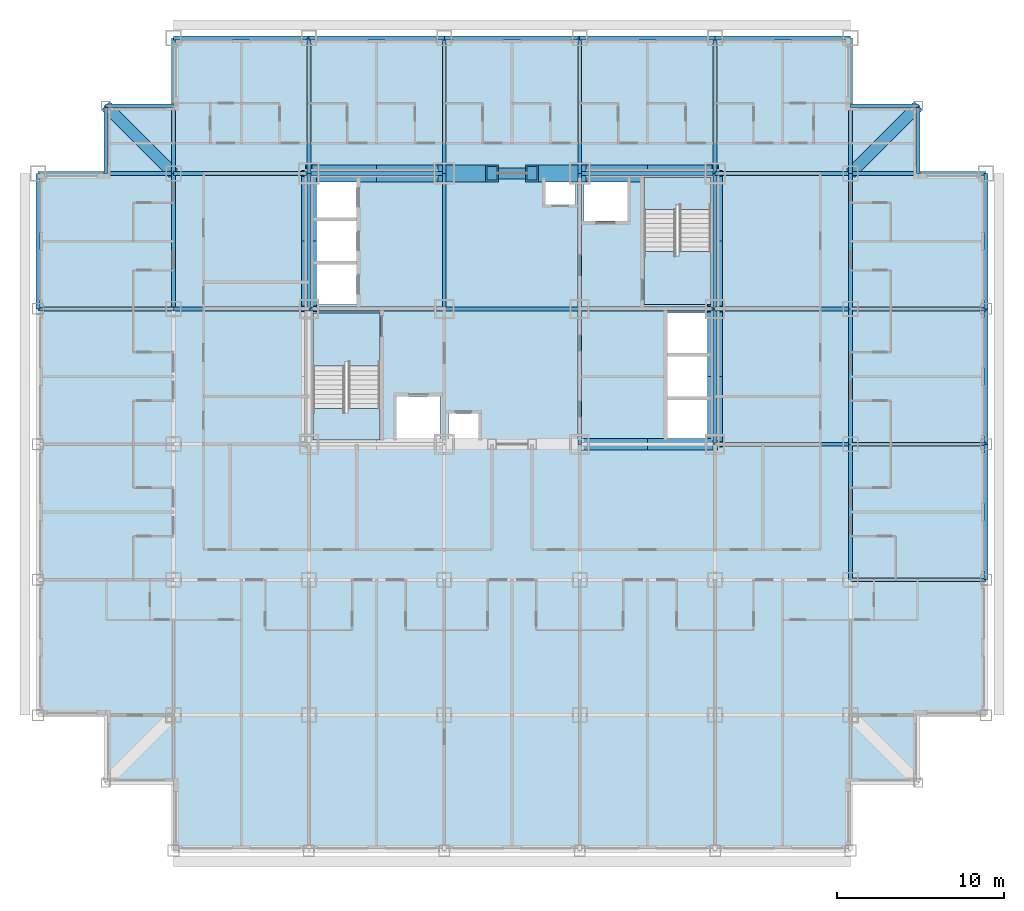
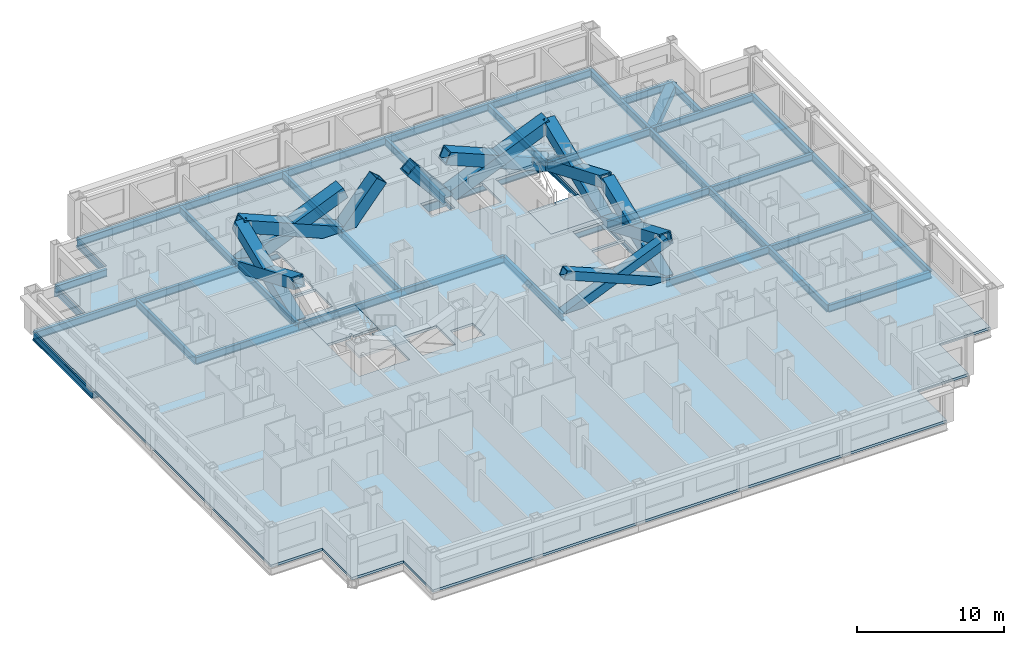
# One storey, part 2 of 12: 48 beams, 14 members, 5 slabs, 2 elements without a shape of their own.
"""IFC4 building model written with IfcOpenShell, lengths in metres."""

from ifc_helpers import new_model, si_unit, direction, frame, origin, origin_2d, place, context, subcontext, project, spatial, polyline, hollow_rectangle, i_section, outline, extrude, material, layer, layer_set, material_profile, profile_set, type_object, element, aggregate, save


model = new_model("IFC4")

# Units and contexts
model_context = context("Model", 3, precision=1e-05, world=origin(), true_north=direction((0.0, 1.0)))
body_context = subcontext(model_context, "Body", "Model", "MODEL_VIEW")
ifc_project = project(units=[si_unit("LENGTHUNIT", "METRE"), si_unit("AREAUNIT", "SQUARE_METRE"), si_unit("VOLUMEUNIT", "CUBIC_METRE"), si_unit("PLANEANGLEUNIT", "RADIAN"), si_unit("MASSUNIT", "GRAM", prefix="KILO")], contexts=[model_context])

# Site, building, storey
site_placement = place(None, origin())
site = spatial("IfcSite", under=ifc_project, at=site_placement, CompositionType="ELEMENT")
building_placement = place(site_placement, origin())
building = spatial("IfcBuilding", under=site, at=building_placement, Name="Kopane Lantern Tower", CompositionType="ELEMENT")
storey_placement = place(building_placement, frame((0.0, 0.0, 46.60009765625)))
storey = spatial("IfcBuildingStorey", under=building, at=storey_placement, Name="L10", CompositionType="ELEMENT", Elevation=46.60009765625)

# Members
ifc_material_1 = material(Name="Steel S355JR", Category="steel")
ifc_material_profile_1 = material_profile(ifc_material_1, hollow_rectangle(XDim=1.0, YDim=1.0, WallThickness=0.10009765625, at=origin_2d()), Name="BOX 1000x1000x100")
ifc_profile_set_1 = profile_set([ifc_material_profile_1], Name="Steel S355JR")
member_type_1 = type_object("IfcMemberType", Name="BRACE BOX 1000x1000x100", PredefinedType="BRACE", material=ifc_profile_set_1)
for number, where, z_axis, x_axis, name in (
    (1, (16.199951171875, 40.5, -0.210205078125), (0.92205908274, 0.0, 0.387049154419), (0.0, 1.0, 0.0), "Core brace L10"),
    (2, (24.300048828125, 40.5, -0.210205078125), (-0.92205908274, 0.0, 0.387049154419), (0.0, -1.0, 0.0), "Core brace L10"),
):
    element("IfcMember", number, at=place(storey_placement, frame(where, z_axis=z_axis, x_axis=x_axis)), inside=storey, type_object=member_type_1, Name=name, PredefinedType="BRACE", context=body_context, shape_type="SweptSolid", body=[
        extrude(hollow_rectangle(XDim=1.0, YDim=1.0, WallThickness=0.10009765625, at=origin_2d()), origin(), (0.0, 0.0, 1.0), 8.784912109375),
    ])
for number, where, z_axis, x_axis, name in (
    (3, (24.300048828125, 40.5, -0.210205078125), (0.642363165114, 0.0, 0.766400394118), (0.0, 1.0, 0.0), "Core brace L10"),
    (4, (32.39990234375, 40.5, -0.210205078125), (-0.642363165114, 0.0, 0.766400394118), (0.0, -1.0, 0.0), "Core brace L10"),
):
    element("IfcMember", number, at=place(storey_placement, frame(where, z_axis=z_axis, x_axis=x_axis)), inside=storey, type_object=member_type_1, Name=name, PredefinedType="BRACE", context=body_context, shape_type="SweptSolid", body=[
        extrude(hollow_rectangle(XDim=1.0, YDim=1.0, WallThickness=0.10009765625, at=origin_2d()), origin(), (0.0, 0.0, 1.0), 4.4365234375),
    ])
for number, where, z_axis, x_axis, name in (
    (5, (32.39990234375, 40.5, -0.210205078125), (0.92205908274, 0.0, 0.387049154419), (0.0, 1.0, 0.0), "Core brace L10"),
    (6, (40.5, 40.5, -0.210205078125), (-0.92205908274, 0.0, 0.387049154419), (0.0, -1.0, 0.0), "Core brace L10"),
):
    element("IfcMember", number, at=place(storey_placement, frame(where, z_axis=z_axis, x_axis=x_axis)), inside=storey, type_object=member_type_1, Name=name, PredefinedType="BRACE", context=body_context, shape_type="SweptSolid", body=[
        extrude(hollow_rectangle(XDim=1.0, YDim=1.0, WallThickness=0.10009765625, at=origin_2d()), origin(), (0.0, 0.0, 1.0), 8.784912109375),
    ])
ifc_material_2 = material(Name="Steel S355JR", Category="steel")
ifc_material_profile_2 = material_profile(ifc_material_2, hollow_rectangle(XDim=0.699951171875, YDim=0.699951171875, WallThickness=0.06005859375, at=origin_2d()), Name="BOX 700x700x60")
ifc_profile_set_2 = profile_set([ifc_material_profile_2], Name="Steel S355JR")
member_type_2 = type_object("IfcMemberType", Name="BRACE BOX 700x700x60", PredefinedType="BRACE", material=ifc_profile_set_2)
for number, where, z_axis, x_axis, name in (
    (7, (32.39990234375, 24.300048828125, -0.210205078125), (0.92205908274, 0.0, 0.387049154419), (0.0, 1.0, 0.0), "Core brace L10"),
    (8, (40.5, 24.300048828125, -0.210205078125), (-0.92205908274, 0.0, 0.387049154419), (0.0, -1.0, 0.0), "Core brace L10"),
):
    element("IfcMember", number, at=place(storey_placement, frame(where, z_axis=z_axis, x_axis=x_axis)), inside=storey, type_object=member_type_2, Name=name, PredefinedType="BRACE", context=body_context, shape_type="SweptSolid", body=[
        extrude(hollow_rectangle(XDim=0.699951171875, YDim=0.699951171875, WallThickness=0.06005859375, at=origin_2d()), origin(), (0.0, 0.0, 1.0), 8.784912109375),
    ])
ifc_material_3 = material(Name="Steel S355JR", Category="steel")
ifc_material_profile_3 = material_profile(ifc_material_3, hollow_rectangle(XDim=0.89990234375, YDim=0.89990234375, WallThickness=0.090087890625, at=origin_2d()), Name="BOX 900x900x90")
ifc_profile_set_3 = profile_set([ifc_material_profile_3], Name="Steel S355JR")
member_type_3 = type_object("IfcMemberType", Name="BRACE BOX 900x900x90", PredefinedType="BRACE", material=ifc_profile_set_3)
for number, where, z_axis, x_axis, name in (
    (9, (16.199951171875, 32.39990234375, -0.210205078125), (0.0, 0.92205908274, 0.387049154419), (-1.0, 0.0, 0.0), "Core brace L10"),
    (10, (16.199951171875, 40.5, -0.210205078125), (0.0, -0.92205908274, 0.387049154419), (1.0, 0.0, 0.0), "Core brace L10"),
):
    element("IfcMember", number, at=place(storey_placement, frame(where, z_axis=z_axis, x_axis=x_axis)), inside=storey, type_object=member_type_3, Name=name, PredefinedType="BRACE", context=body_context, shape_type="SweptSolid", body=[
        extrude(hollow_rectangle(XDim=0.89990234375, YDim=0.89990234375, WallThickness=0.090087890625, at=origin_2d()), origin(), (0.0, 0.0, 1.0), 8.784912109375),
    ])
for number, where, z_axis, x_axis, name in (
    (11, (40.5, 24.300048828125, -0.210205078125), (0.0, 0.92205491925, 0.387059072864), (-1.0, 0.0, 0.0), "Core brace L10"),
    (12, (40.5, 32.39990234375, -0.210205078125), (0.0, -0.92205491925, 0.387059072864), (1.0, 0.0, 0.0), "Core brace L10"),
):
    element("IfcMember", number, at=place(storey_placement, frame(where, z_axis=z_axis, x_axis=x_axis)), inside=storey, type_object=member_type_3, Name=name, PredefinedType="BRACE", context=body_context, shape_type="SweptSolid", body=[
        extrude(hollow_rectangle(XDim=0.89990234375, YDim=0.89990234375, WallThickness=0.090087890625, at=origin_2d()), origin(), (0.0, 0.0, 1.0), 8.78466796875),
    ])
for number, where, z_axis, x_axis, name in (
    (13, (40.5, 32.39990234375, -0.210205078125), (0.0, 0.92205908274, 0.387049154419), (-1.0, 0.0, 0.0), "Core brace L10"),
    (14, (40.5, 40.5, -0.210205078125), (0.0, -0.92205908274, 0.387049154419), (1.0, 0.0, 0.0), "Core brace L10"),
):
    element("IfcMember", number, at=place(storey_placement, frame(where, z_axis=z_axis, x_axis=x_axis)), inside=storey, type_object=member_type_3, Name=name, PredefinedType="BRACE", context=body_context, shape_type="SweptSolid", body=[
        extrude(hollow_rectangle(XDim=0.89990234375, YDim=0.89990234375, WallThickness=0.090087890625, at=origin_2d()), origin(), (0.0, 0.0, 1.0), 8.784912109375),
    ])

# Beams
ifc_material_4 = material(Name="Steel S355JR", Category="steel")
ifc_material_profile_4 = material_profile(ifc_material_4, i_section(OverallWidth=0.22900390625, OverallDepth=0.6123046875, WebThickness=0.011962890625, FlangeThickness=0.01953125, FilletRadius=0.0126953125, at=origin_2d()), Name="UB 610x229x125")
ifc_profile_set_4 = profile_set([ifc_material_profile_4], Name="Steel S355JR")
beam_type_1 = type_object("IfcBeamType", Name="CORE BEAM UB 610x229x125", PredefinedType="BEAM", material=ifc_profile_set_4)
for number, where, z_axis, x_axis, name in (
    (15, (16.199951171875, 32.39990234375, -0.51611328125), (1.0, 0.0, 0.0), (0.0, 1.0, 0.0), "Core Beam L10"),
    (16, (24.300048828125, 32.39990234375, -0.51611328125), (0.0, 1.0, 0.0), (-1.0, 0.0, 0.0), "Core Beam L10"),
):
    element("IfcBeam", number, at=place(storey_placement, frame(where, z_axis=z_axis, x_axis=x_axis)), inside=storey, type_object=beam_type_1, Name=name, PredefinedType="BEAM", context=body_context, shape_type="SweptSolid", body=[
        extrude(i_section(OverallWidth=0.22900390625, OverallDepth=0.6123046875, WebThickness=0.011962890625, FlangeThickness=0.01953125, FilletRadius=0.0126953125, at=origin_2d()), origin(), (0.0, 0.0, 1.0), 8.10009765625),
    ])
for number, where, z_axis, x_axis, name in (
    (17, (24.300048828125, 32.39990234375, -0.51611328125), (1.0, 0.0, 0.0), (0.0, 1.0, 0.0), "Core Beam L10"),
    (18, (32.39990234375, 24.300048828125, -0.51611328125), (0.0, 1.0, 0.0), (-1.0, 0.0, 0.0), "Core Beam L10"),
):
    element("IfcBeam", number, at=place(storey_placement, frame(where, z_axis=z_axis, x_axis=x_axis)), inside=storey, type_object=beam_type_1, Name=name, PredefinedType="BEAM", context=body_context, shape_type="SweptSolid", body=[
        extrude(i_section(OverallWidth=0.22900390625, OverallDepth=0.6123046875, WebThickness=0.011962890625, FlangeThickness=0.01953125, FilletRadius=0.0126953125, at=origin_2d()), origin(), (0.0, 0.0, 1.0), 8.099853515625),
    ])
for number, where, z_axis, x_axis, name in (
    (19, (32.39990234375, 32.39990234375, -0.51611328125), (0.0, 1.0, 0.0), (-1.0, 0.0, 0.0), "Core Beam L10"),
    (20, (32.39990234375, 32.39990234375, -0.51611328125), (1.0, 0.0, 0.0), (0.0, 1.0, 0.0), "Core Beam L10"),
):
    element("IfcBeam", number, at=place(storey_placement, frame(where, z_axis=z_axis, x_axis=x_axis)), inside=storey, type_object=beam_type_1, Name=name, PredefinedType="BEAM", context=body_context, shape_type="SweptSolid", body=[
        extrude(i_section(OverallWidth=0.22900390625, OverallDepth=0.6123046875, WebThickness=0.011962890625, FlangeThickness=0.01953125, FilletRadius=0.0126953125, at=origin_2d()), origin(), (0.0, 0.0, 1.0), 8.10009765625),
    ])
ifc_material_5 = material(Name="Steel S355JR", Category="steel")
ifc_material_profile_5 = material_profile(ifc_material_5, hollow_rectangle(XDim=0.699951171875, YDim=0.699951171875, WallThickness=0.06005859375, at=origin_2d()), Name="BOX 700x700x60")
ifc_profile_set_5 = profile_set([ifc_material_profile_5], Name="Steel S355JR")
beam_type_2 = type_object("IfcBeamType", Name="CORNER TIE BEAM BOX 700x700x60", PredefinedType="BEAM", material=ifc_profile_set_5)
for number, where, z_axis, x_axis, name in (
    (21, (4.050048828125, 44.550048828125, -0.56005859375), (0.707106781187, -0.707106781187, 0.0), (0.707106781187, 0.707106781187, 0.0), "Corner Tie Beam L10"),
    (22, (52.64990234375, 44.550048828125, -0.56005859375), (-0.707085467703, -0.707128094028, 0.0), (0.707128094028, -0.707085467703, 0.0), "Corner Tie Beam L10"),
):
    element("IfcBeam", number, at=place(storey_placement, frame(where, z_axis=z_axis, x_axis=x_axis)), inside=storey, type_object=beam_type_2, Name=name, PredefinedType="BEAM", context=body_context, shape_type="SweptSolid", body=[
        extrude(hollow_rectangle(XDim=0.699951171875, YDim=0.699951171875, WallThickness=0.06005859375, at=origin_2d()), origin(), (0.0, 0.0, 1.0), 5.7275390625),
    ])
ifc_material_6 = material(Name="Steel S355JR", Category="steel")
ifc_material_profile_6 = material_profile(ifc_material_6, i_section(OverallWidth=0.22900390625, OverallDepth=0.6123046875, WebThickness=0.011962890625, FlangeThickness=0.01953125, FilletRadius=0.0126953125, at=origin_2d()), Name="UB 610x229x125")
ifc_profile_set_6 = profile_set([ifc_material_profile_6], Name="Steel S355JR")
beam_type_3 = type_object("IfcBeamType", Name="EDGE BEAM UB 610x229x125", PredefinedType="BEAM", material=ifc_profile_set_6)
for number, where, z_axis, x_axis, name in (
    (23, (4.050048828125, 44.550048828125, -0.51611328125), (0.0, -1.0, 0.0), (1.0, 0.0, 0.0), "Edge Beam L10"),
    (24, (4.050048828125, 44.550048828125, -0.51611328125), (1.0, 0.0, 0.0), (0.0, 1.0, 0.0), "Edge Beam L10"),
):
    element("IfcBeam", number, at=place(storey_placement, frame(where, z_axis=z_axis, x_axis=x_axis)), inside=storey, type_object=beam_type_3, Name=name, PredefinedType="BEAM", context=body_context, shape_type="SweptSolid", body=[
        extrude(i_section(OverallWidth=0.22900390625, OverallDepth=0.6123046875, WebThickness=0.011962890625, FlangeThickness=0.01953125, FilletRadius=0.0126953125, at=origin_2d()), origin(), (0.0, 0.0, 1.0), 4.050048828125),
    ])
beam_1_placement = place(storey_placement, frame((52.64990234375, 44.550048828125, -0.51611328125), z_axis=(-1.0, 0.0, 0.0), x_axis=(0.0, -1.0, 0.0)))
element("IfcBeam", 25, at=beam_1_placement, inside=storey, type_object=beam_type_3, Name="Edge Beam L10", PredefinedType="BEAM", context=body_context, shape_type="SweptSolid", body=[
    extrude(i_section(OverallWidth=0.22900390625, OverallDepth=0.6123046875, WebThickness=0.011962890625, FlangeThickness=0.01953125, FilletRadius=0.0126953125, at=origin_2d()), origin(), (0.0, 0.0, 1.0), 4.0498046875),
])
beam_2_placement = place(storey_placement, frame((52.64990234375, 44.550048828125, -0.51611328125), z_axis=(0.0, -1.0, 0.0), x_axis=(1.0, 0.0, 0.0)))
element("IfcBeam", 26, at=beam_2_placement, inside=storey, type_object=beam_type_3, Name="Edge Beam L10", PredefinedType="BEAM", context=body_context, shape_type="SweptSolid", body=[
    extrude(i_section(OverallWidth=0.22900390625, OverallDepth=0.6123046875, WebThickness=0.011962890625, FlangeThickness=0.01953125, FilletRadius=0.0126953125, at=origin_2d()), origin(), (0.0, 0.0, 1.0), 4.050048828125),
])
ifc_material_7 = material(Name="Steel S355JR", Category="steel")
ifc_material_profile_7 = material_profile(ifc_material_7, i_section(OverallWidth=0.22900390625, OverallDepth=0.6123046875, WebThickness=0.011962890625, FlangeThickness=0.01953125, FilletRadius=0.0126953125, at=origin_2d()), Name="UB 610x229x125")
ifc_profile_set_7 = profile_set([ifc_material_profile_7], Name="Steel S355JR")
beam_type_4 = type_object("IfcBeamType", Name="GIRDER UB 610x229x125", PredefinedType="BEAM", material=ifc_profile_set_7)
for number, where, z_axis, x_axis, name in (
    (27, (0.0, 32.39990234375, -0.51611328125), (0.0, 1.0, 0.0), (-1.0, 0.0, 0.0), "Girder L10"),
    (28, (0.0, 32.39990234375, -0.51611328125), (1.0, 0.0, 0.0), (0.0, 1.0, 0.0), "Girder L10"),
    (29, (0.0, 40.5, -0.51611328125), (1.0, 0.0, 0.0), (0.0, 1.0, 0.0), "Girder L10"),
    (30, (8.10009765625, 32.39990234375, -0.51611328125), (0.0, 1.0, 0.0), (-1.0, 0.0, 0.0), "Girder L10"),
):
    element("IfcBeam", number, at=place(storey_placement, frame(where, z_axis=z_axis, x_axis=x_axis)), inside=storey, type_object=beam_type_4, Name=name, PredefinedType="BEAM", context=body_context, shape_type="SweptSolid", body=[
        extrude(i_section(OverallWidth=0.22900390625, OverallDepth=0.6123046875, WebThickness=0.011962890625, FlangeThickness=0.01953125, FilletRadius=0.0126953125, at=origin_2d()), origin(), (0.0, 0.0, 1.0), 8.10009765625),
    ])
beam_3_placement = place(storey_placement, frame((8.10009765625, 32.39990234375, -0.51611328125), z_axis=(1.0, 0.0, 0.0), x_axis=(0.0, 1.0, 0.0)))
element("IfcBeam", 31, at=beam_3_placement, inside=storey, type_object=beam_type_4, Name="Girder L10", PredefinedType="BEAM", context=body_context, shape_type="SweptSolid", body=[
    extrude(i_section(OverallWidth=0.22900390625, OverallDepth=0.6123046875, WebThickness=0.011962890625, FlangeThickness=0.01953125, FilletRadius=0.0126953125, at=origin_2d()), origin(), (0.0, 0.0, 1.0), 8.099853515625),
])
beam_4_placement = place(storey_placement, frame((8.10009765625, 40.5, -0.51611328125), z_axis=(0.0, 1.0, 0.0), x_axis=(-1.0, 0.0, 0.0)))
element("IfcBeam", 32, at=beam_4_placement, inside=storey, type_object=beam_type_4, Name="Girder L10", PredefinedType="BEAM", context=body_context, shape_type="SweptSolid", body=[
    extrude(i_section(OverallWidth=0.22900390625, OverallDepth=0.6123046875, WebThickness=0.011962890625, FlangeThickness=0.01953125, FilletRadius=0.0126953125, at=origin_2d()), origin(), (0.0, 0.0, 1.0), 8.10009765625),
])
for number, where, z_axis, x_axis, name in (
    (33, (8.10009765625, 40.5, -0.51611328125), (1.0, 0.0, 0.0), (0.0, 1.0, 0.0), "Girder L10"),
    (34, (8.10009765625, 48.60009765625, -0.51611328125), (1.0, 0.0, 0.0), (0.0, 1.0, 0.0), "Girder L10"),
):
    element("IfcBeam", number, at=place(storey_placement, frame(where, z_axis=z_axis, x_axis=x_axis)), inside=storey, type_object=beam_type_4, Name=name, PredefinedType="BEAM", context=body_context, shape_type="SweptSolid", body=[
        extrude(i_section(OverallWidth=0.22900390625, OverallDepth=0.6123046875, WebThickness=0.011962890625, FlangeThickness=0.01953125, FilletRadius=0.0126953125, at=origin_2d()), origin(), (0.0, 0.0, 1.0), 8.099853515625),
    ])
for number, where, z_axis, x_axis, name in (
    (35, (16.199951171875, 32.39990234375, -0.51611328125), (0.0, 1.0, 0.0), (-1.0, 0.0, 0.0), "Girder L10"),
    (36, (16.199951171875, 40.5, -0.51611328125), (0.0, 1.0, 0.0), (-1.0, 0.0, 0.0), "Girder L10"),
    (37, (16.199951171875, 40.5, -0.51611328125), (1.0, 0.0, 0.0), (0.0, 1.0, 0.0), "Girder L10"),
    (38, (16.199951171875, 48.60009765625, -0.51611328125), (1.0, 0.0, 0.0), (0.0, 1.0, 0.0), "Girder L10"),
    (39, (24.300048828125, 40.5, -0.51611328125), (0.0, 1.0, 0.0), (-1.0, 0.0, 0.0), "Girder L10"),
):
    element("IfcBeam", number, at=place(storey_placement, frame(where, z_axis=z_axis, x_axis=x_axis)), inside=storey, type_object=beam_type_4, Name=name, PredefinedType="BEAM", context=body_context, shape_type="SweptSolid", body=[
        extrude(i_section(OverallWidth=0.22900390625, OverallDepth=0.6123046875, WebThickness=0.011962890625, FlangeThickness=0.01953125, FilletRadius=0.0126953125, at=origin_2d()), origin(), (0.0, 0.0, 1.0), 8.10009765625),
    ])
beam_5_placement = place(storey_placement, frame((24.300048828125, 48.60009765625, -0.51611328125), z_axis=(1.0, 0.0, 0.0), x_axis=(0.0, 1.0, 0.0)))
element("IfcBeam", 40, at=beam_5_placement, inside=storey, type_object=beam_type_4, Name="Girder L10", PredefinedType="BEAM", context=body_context, shape_type="SweptSolid", body=[
    extrude(i_section(OverallWidth=0.22900390625, OverallDepth=0.6123046875, WebThickness=0.011962890625, FlangeThickness=0.01953125, FilletRadius=0.0126953125, at=origin_2d()), origin(), (0.0, 0.0, 1.0), 8.099853515625),
])
for number, where, z_axis, x_axis, name in (
    (41, (32.39990234375, 40.5, -0.51611328125), (0.0, 1.0, 0.0), (-1.0, 0.0, 0.0), "Girder L10"),
    (42, (32.39990234375, 40.5, -0.51611328125), (1.0, 0.0, 0.0), (0.0, 1.0, 0.0), "Girder L10"),
    (43, (32.39990234375, 48.60009765625, -0.51611328125), (1.0, 0.0, 0.0), (0.0, 1.0, 0.0), "Girder L10"),
):
    element("IfcBeam", number, at=place(storey_placement, frame(where, z_axis=z_axis, x_axis=x_axis)), inside=storey, type_object=beam_type_4, Name=name, PredefinedType="BEAM", context=body_context, shape_type="SweptSolid", body=[
        extrude(i_section(OverallWidth=0.22900390625, OverallDepth=0.6123046875, WebThickness=0.011962890625, FlangeThickness=0.01953125, FilletRadius=0.0126953125, at=origin_2d()), origin(), (0.0, 0.0, 1.0), 8.10009765625),
    ])
beam_6_placement = place(storey_placement, frame((40.5, 24.300048828125, -0.51611328125), z_axis=(0.0, 1.0, 0.0), x_axis=(-1.0, 0.0, 0.0)))
element("IfcBeam", 44, at=beam_6_placement, inside=storey, type_object=beam_type_4, Name="Girder L10", PredefinedType="BEAM", context=body_context, shape_type="SweptSolid", body=[
    extrude(i_section(OverallWidth=0.22900390625, OverallDepth=0.6123046875, WebThickness=0.011962890625, FlangeThickness=0.01953125, FilletRadius=0.0126953125, at=origin_2d()), origin(), (0.0, 0.0, 1.0), 8.099853515625),
])
for number, where, z_axis, x_axis, name in (
    (45, (40.5, 24.300048828125, -0.51611328125), (1.0, 0.0, 0.0), (0.0, 1.0, 0.0), "Girder L10"),
    (46, (40.5, 32.39990234375, -0.51611328125), (0.0, 1.0, 0.0), (-1.0, 0.0, 0.0), "Girder L10"),
    (47, (40.5, 32.39990234375, -0.51611328125), (1.0, 0.0, 0.0), (0.0, 1.0, 0.0), "Girder L10"),
    (48, (40.5, 40.5, -0.51611328125), (0.0, 1.0, 0.0), (-1.0, 0.0, 0.0), "Girder L10"),
    (49, (40.5, 40.5, -0.51611328125), (1.0, 0.0, 0.0), (0.0, 1.0, 0.0), "Girder L10"),
    (50, (40.5, 48.60009765625, -0.51611328125), (1.0, 0.0, 0.0), (0.0, 1.0, 0.0), "Girder L10"),
    (51, (48.60009765625, 16.199951171875, -0.51611328125), (0.0, 1.0, 0.0), (-1.0, 0.0, 0.0), "Girder L10"),
):
    element("IfcBeam", number, at=place(storey_placement, frame(where, z_axis=z_axis, x_axis=x_axis)), inside=storey, type_object=beam_type_4, Name=name, PredefinedType="BEAM", context=body_context, shape_type="SweptSolid", body=[
        extrude(i_section(OverallWidth=0.22900390625, OverallDepth=0.6123046875, WebThickness=0.011962890625, FlangeThickness=0.01953125, FilletRadius=0.0126953125, at=origin_2d()), origin(), (0.0, 0.0, 1.0), 8.10009765625),
    ])
for number, where, z_axis, x_axis, name in (
    (52, (48.60009765625, 16.199951171875, -0.51611328125), (1.0, 0.0, 0.0), (0.0, 1.0, 0.0), "Girder L10"),
    (53, (48.60009765625, 24.300048828125, -0.51611328125), (0.0, 1.0, 0.0), (-1.0, 0.0, 0.0), "Girder L10"),
    (54, (48.60009765625, 24.300048828125, -0.51611328125), (1.0, 0.0, 0.0), (0.0, 1.0, 0.0), "Girder L10"),
):
    element("IfcBeam", number, at=place(storey_placement, frame(where, z_axis=z_axis, x_axis=x_axis)), inside=storey, type_object=beam_type_4, Name=name, PredefinedType="BEAM", context=body_context, shape_type="SweptSolid", body=[
        extrude(i_section(OverallWidth=0.22900390625, OverallDepth=0.6123046875, WebThickness=0.011962890625, FlangeThickness=0.01953125, FilletRadius=0.0126953125, at=origin_2d()), origin(), (0.0, 0.0, 1.0), 8.099853515625),
    ])
beam_7_placement = place(storey_placement, frame((48.60009765625, 32.39990234375, -0.51611328125), z_axis=(0.0, 1.0, 0.0), x_axis=(-1.0, 0.0, 0.0)))
element("IfcBeam", 55, at=beam_7_placement, inside=storey, type_object=beam_type_4, Name="Girder L10", PredefinedType="BEAM", context=body_context, shape_type="SweptSolid", body=[
    extrude(i_section(OverallWidth=0.22900390625, OverallDepth=0.6123046875, WebThickness=0.011962890625, FlangeThickness=0.01953125, FilletRadius=0.0126953125, at=origin_2d()), origin(), (0.0, 0.0, 1.0), 8.10009765625),
])
beam_8_placement = place(storey_placement, frame((48.60009765625, 32.39990234375, -0.51611328125), z_axis=(1.0, 0.0, 0.0), x_axis=(0.0, 1.0, 0.0)))
element("IfcBeam", 56, at=beam_8_placement, inside=storey, type_object=beam_type_4, Name="Girder L10", PredefinedType="BEAM", context=body_context, shape_type="SweptSolid", body=[
    extrude(i_section(OverallWidth=0.22900390625, OverallDepth=0.6123046875, WebThickness=0.011962890625, FlangeThickness=0.01953125, FilletRadius=0.0126953125, at=origin_2d()), origin(), (0.0, 0.0, 1.0), 8.099853515625),
])
beam_9_placement = place(storey_placement, frame((48.60009765625, 40.5, -0.51611328125), z_axis=(0.0, 1.0, 0.0), x_axis=(-1.0, 0.0, 0.0)))
element("IfcBeam", 57, at=beam_9_placement, inside=storey, type_object=beam_type_4, Name="Girder L10", PredefinedType="BEAM", context=body_context, shape_type="SweptSolid", body=[
    extrude(i_section(OverallWidth=0.22900390625, OverallDepth=0.6123046875, WebThickness=0.011962890625, FlangeThickness=0.01953125, FilletRadius=0.0126953125, at=origin_2d()), origin(), (0.0, 0.0, 1.0), 8.10009765625),
])
beam_10_placement = place(storey_placement, frame((48.60009765625, 40.5, -0.51611328125), z_axis=(1.0, 0.0, 0.0), x_axis=(0.0, 1.0, 0.0)))
element("IfcBeam", 58, at=beam_10_placement, inside=storey, type_object=beam_type_4, Name="Girder L10", PredefinedType="BEAM", context=body_context, shape_type="SweptSolid", body=[
    extrude(i_section(OverallWidth=0.22900390625, OverallDepth=0.6123046875, WebThickness=0.011962890625, FlangeThickness=0.01953125, FilletRadius=0.0126953125, at=origin_2d()), origin(), (0.0, 0.0, 1.0), 8.099853515625),
])
beam_11_placement = place(storey_placement, frame((56.699951171875, 16.199951171875, -0.51611328125), z_axis=(0.0, 1.0, 0.0), x_axis=(-1.0, 0.0, 0.0)))
element("IfcBeam", 59, at=beam_11_placement, inside=storey, type_object=beam_type_4, Name="Girder L10", PredefinedType="BEAM", context=body_context, shape_type="SweptSolid", body=[
    extrude(i_section(OverallWidth=0.22900390625, OverallDepth=0.6123046875, WebThickness=0.011962890625, FlangeThickness=0.01953125, FilletRadius=0.0126953125, at=origin_2d()), origin(), (0.0, 0.0, 1.0), 8.10009765625),
])
beam_12_placement = place(storey_placement, frame((56.699951171875, 24.300048828125, -0.51611328125), z_axis=(0.0, 1.0, 0.0), x_axis=(-1.0, 0.0, 0.0)))
element("IfcBeam", 60, at=beam_12_placement, inside=storey, type_object=beam_type_4, Name="Girder L10", PredefinedType="BEAM", context=body_context, shape_type="SweptSolid", body=[
    extrude(i_section(OverallWidth=0.22900390625, OverallDepth=0.6123046875, WebThickness=0.011962890625, FlangeThickness=0.01953125, FilletRadius=0.0126953125, at=origin_2d()), origin(), (0.0, 0.0, 1.0), 8.099853515625),
])
beam_13_placement = place(storey_placement, frame((56.699951171875, 32.39990234375, -0.51611328125), z_axis=(0.0, 1.0, 0.0), x_axis=(-1.0, 0.0, 0.0)))
element("IfcBeam", 61, at=beam_13_placement, inside=storey, type_object=beam_type_4, Name="Girder L10", PredefinedType="BEAM", context=body_context, shape_type="SweptSolid", body=[
    extrude(i_section(OverallWidth=0.22900390625, OverallDepth=0.6123046875, WebThickness=0.011962890625, FlangeThickness=0.01953125, FilletRadius=0.0126953125, at=origin_2d()), origin(), (0.0, 0.0, 1.0), 8.10009765625),
])
ifc_material_8 = material(Name="Steel S355JR", Category="steel")
ifc_material_profile_8 = material_profile(ifc_material_8, hollow_rectangle(XDim=0.64990234375, YDim=0.64990234375, WallThickness=0.070068359375, at=origin_2d()), Name="BOX 650x650x70")
ifc_profile_set_8 = profile_set([ifc_material_profile_8], Name="Steel S355JR")
beam_type_5 = type_object("IfcBeamType", Name="LINK BEAM BOX 650x650x70", PredefinedType="BEAM", material=ifc_profile_set_8)
beam_14_placement = place(storey_placement, frame((24.300048828125, 40.5, -0.53515625), z_axis=(1.0, 0.0, 0.0), x_axis=(0.0, 1.0, 0.0)))
element("IfcBeam", 62, at=beam_14_placement, inside=storey, type_object=beam_type_5, Name="Link Beam L10", PredefinedType="BEAM", context=body_context, shape_type="SweptSolid", body=[
    extrude(hollow_rectangle(XDim=0.64990234375, YDim=0.64990234375, WallThickness=0.070068359375, at=origin_2d()), origin(), (0.0, 0.0, 1.0), 8.099853515625),
])

# Slab
ifc_material_9 = material(Name="Concrete C40/50", Category="concrete")
ifc_layer_1 = layer(ifc_material_9, 0.2099609375)
ifc_layer_set_1 = layer_set([ifc_layer_1], Name="SLAB 210 COMPOSITE")
slab_type_1 = type_object("IfcSlabType", Name="SLAB 210 COMPOSITE", PredefinedType="FLOOR", material=ifc_layer_set_1)
slab_1_placement = place(storey_placement, frame((0.0, 0.0, -0.210205078125)))
element("IfcSlab", 63, at=slab_1_placement, inside=storey, type_object=slab_type_1, Name="Floor slab L10", PredefinedType="FLOOR", context=body_context, shape_type="SweptSolid", body=[
    extrude(outline(polyline([(8.10009765625, 0.0), (48.60009765625, 0.0), (48.60009765625, 4.050048828125), (52.64990234375, 4.050048828125), (52.64990234375, 8.10009765625), (56.699951171875, 8.10009765625), (56.699951171875, 40.5), (52.64990234375, 40.5), (52.64990234375, 44.550048828125), (48.60009765625, 44.550048828125), (48.60009765625, 48.60009765625), (8.10009765625, 48.60009765625), (8.10009765625, 44.550048828125), (4.050048828125, 44.550048828125), (4.050048828125, 40.5), (0.0, 40.5), (0.0, 8.10009765625), (4.050048828125, 8.10009765625), (4.050048828125, 4.050048828125), (8.10009765625, 4.050048828125), (8.10009765625, 0.0)]), holes=[polyline([(16.449951171875, 24.550048828125), (20.449951171875, 24.550048828125), (20.449951171875, 32.14990234375), (16.449951171875, 32.14990234375), (16.449951171875, 24.550048828125)]), polyline([(36.25, 32.64990234375), (40.25, 32.64990234375), (40.25, 40.25), (36.25, 40.25), (36.25, 32.64990234375)]), polyline([(16.449951171875, 32.64990234375), (19.050048828125, 32.64990234375), (19.050048828125, 35.050048828125), (16.449951171875, 35.050048828125), (16.449951171875, 32.64990234375)]), polyline([(16.449951171875, 35.25), (19.050048828125, 35.25), (19.050048828125, 37.64990234375), (16.449951171875, 37.64990234375), (16.449951171875, 35.25)]), polyline([(16.449951171875, 37.85009765625), (19.050048828125, 37.85009765625), (19.050048828125, 40.25), (16.449951171875, 40.25), (16.449951171875, 37.85009765625)]), polyline([(37.64990234375, 24.550048828125), (40.25, 24.550048828125), (40.25, 26.949951171875), (37.64990234375, 26.949951171875), (37.64990234375, 24.550048828125)]), polyline([(37.64990234375, 27.14990234375), (40.25, 27.14990234375), (40.25, 29.550048828125), (37.64990234375, 29.550048828125), (37.64990234375, 27.14990234375)]), polyline([(37.64990234375, 29.75), (40.25, 29.75), (40.25, 32.14990234375), (37.64990234375, 32.14990234375), (37.64990234375, 29.75)]), polyline([(21.449951171875, 24.550048828125), (24.050048828125, 24.550048828125), (24.050048828125, 27.14990234375), (21.449951171875, 27.14990234375), (21.449951171875, 24.550048828125)]), polyline([(32.64990234375, 37.64990234375), (35.25, 37.64990234375), (35.25, 40.25), (32.64990234375, 40.25), (32.64990234375, 37.64990234375)]), polyline([(24.550048828125, 24.550048828125), (26.35009765625, 24.550048828125), (26.35009765625, 26.14990234375), (24.550048828125, 26.14990234375), (24.550048828125, 24.550048828125)]), polyline([(30.35009765625, 38.64990234375), (32.14990234375, 38.64990234375), (32.14990234375, 40.25), (30.35009765625, 40.25), (30.35009765625, 38.64990234375)])]), origin(), (0.0, 0.0, 1.0), 0.210205078125),
])

# Stair, slabs
ifc_material_10 = material(Name="Steel S355JR", Category="steel")
stair_type = type_object("IfcStairType", Name="EXIT STAIR 1900 HALF TURN", PredefinedType="HALF_TURN_STAIR", material=ifc_material_10)
stair_1_placement = place(storey_placement, origin())
stair_1 = element("IfcStair", 64, at=stair_1_placement, inside=storey, type_object=stair_type, Name="Exit stair ST1 L10", PredefinedType="HALF_TURN_STAIR")
ifc_material_11 = material(Name="Concrete C40/50", Category="concrete")
ifc_layer_2 = layer(ifc_material_11, 0.199951171875)
ifc_layer_set_2 = layer_set([ifc_layer_2], Name="STAIR LANDING 200")
slab_type_2 = type_object("IfcSlabType", Name="STAIR LANDING 200", PredefinedType="LANDING", material=ifc_layer_set_2)
slab_2_placement = place(storey_placement, frame((0.0, 0.0, -0.2001953125)))
slab_2 = element("IfcSlab", 65, at=slab_2_placement, type_object=slab_type_2, Name="ST1 landing 1", PredefinedType="LANDING", context=body_context, shape_type="SweptSolid", body=[
    extrude(outline(polyline([(18.35009765625, 29.25), (18.550048828125, 29.25), (18.550048828125, 28.969970703125), (20.449951171875, 28.969970703125), (20.449951171875, 32.14990234375), (16.449951171875, 32.14990234375), (16.449951171875, 28.969970703125), (18.35009765625, 28.969970703125), (18.35009765625, 29.25)])), origin(), (0.0, 0.0, 1.0), 0.2001953125),
])
slab_3_placement = place(storey_placement, frame((0.0, 0.0, 1.5)))
slab_3 = element("IfcSlab", 66, at=slab_3_placement, type_object=slab_type_2, Name="ST1 landing 2", PredefinedType="LANDING", context=body_context, shape_type="SweptSolid", body=[
    extrude(outline(polyline([(20.449951171875, 26.449951171875), (18.550048828125, 26.449951171875), (18.550048828125, 26.169921875), (18.35009765625, 26.169921875), (18.35009765625, 26.449951171875), (16.449951171875, 26.449951171875), (16.449951171875, 24.550048828125), (20.449951171875, 24.550048828125), (20.449951171875, 26.449951171875)])), origin(), (0.0, 0.0, 1.0), 0.199951171875),
])
aggregate(stair_1, [slab_2, slab_3])

stair_2_placement = place(storey_placement, origin())
stair_2 = element("IfcStair", 67, at=stair_2_placement, inside=storey, type_object=stair_type, Name="Exit stair ST2 L10", PredefinedType="HALF_TURN_STAIR")
slab_4_placement = place(storey_placement, frame((0.0, 0.0, -0.2001953125)))
slab_4 = element("IfcSlab", 68, at=slab_4_placement, type_object=slab_type_2, Name="ST2 landing 1", PredefinedType="LANDING", context=body_context, shape_type="SweptSolid", body=[
    extrude(outline(polyline([(40.25, 35.830078125), (38.35009765625, 35.830078125), (38.35009765625, 35.550048828125), (38.14990234375, 35.550048828125), (38.14990234375, 35.830078125), (36.25, 35.830078125), (36.25, 32.64990234375), (40.25, 32.64990234375), (40.25, 35.830078125)])), origin(), (0.0, 0.0, 1.0), 0.2001953125),
])
slab_5_placement = place(storey_placement, frame((0.0, 0.0, 1.5)))
slab_5 = element("IfcSlab", 69, at=slab_5_placement, type_object=slab_type_2, Name="ST2 landing 2", PredefinedType="LANDING", context=body_context, shape_type="SweptSolid", body=[
    extrude(outline(polyline([(38.14990234375, 38.6298828125), (38.35009765625, 38.6298828125), (38.35009765625, 38.35009765625), (40.25, 38.35009765625), (40.25, 40.25), (36.25, 40.25), (36.25, 38.35009765625), (38.14990234375, 38.35009765625), (38.14990234375, 38.6298828125)])), origin(), (0.0, 0.0, 1.0), 0.199951171875),
])
aggregate(stair_2, [slab_4, slab_5])

save(model, "model.ifc")
